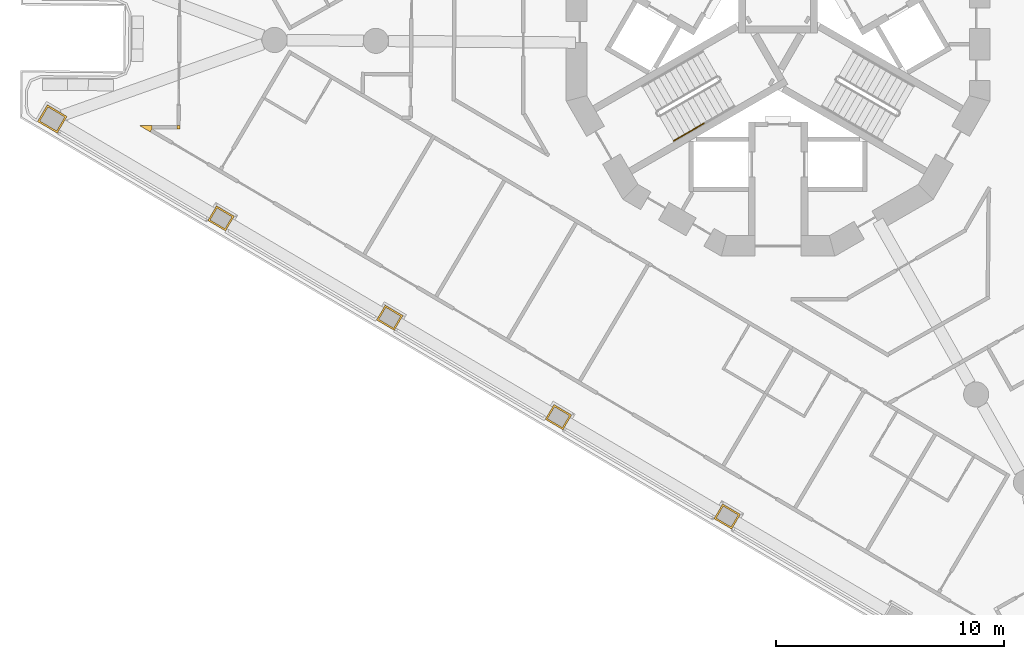
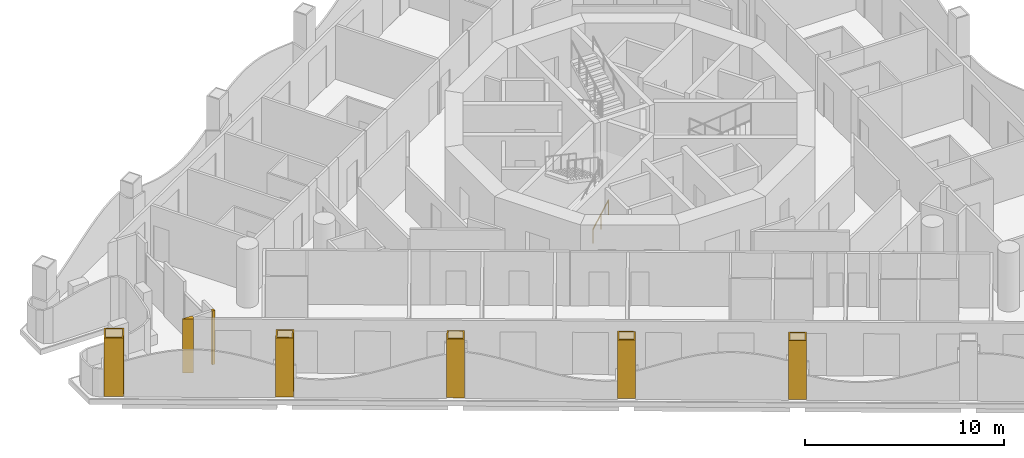
# One storey, part 11 of 17: 7 coverings, 1 railing.
"""IFC4 building model written with IfcOpenShell, lengths in metres."""

from ifc_helpers import new_model, si_unit, direction, frame, origin, origin_2d, place, context, subcontext, project, spatial, polyline, circle, outline, extrude, material, layer, layer_set, type_object, element, save


model = new_model("IFC4")

# Units and contexts
model_context = context("Model", 3, precision=1e-05, world=origin(), true_north=direction((0.0, 1.0)))
body_context = subcontext(model_context, "Body", "Model", "MODEL_VIEW")
ifc_project = project(units=[si_unit("LENGTHUNIT", "METRE"), si_unit("AREAUNIT", "SQUARE_METRE"), si_unit("VOLUMEUNIT", "CUBIC_METRE"), si_unit("PLANEANGLEUNIT", "RADIAN"), si_unit("MASSUNIT", "GRAM", prefix="KILO")], contexts=[model_context])

# Site, building, storey
site_placement = place(None, origin())
site = spatial("IfcSite", under=ifc_project, at=site_placement, CompositionType="ELEMENT")
building_placement = place(site_placement, origin())
building = spatial("IfcBuilding", under=site, at=building_placement, Name="Trine Commons Tower", CompositionType="ELEMENT")
storey_placement = place(building_placement, frame((0.0, 0.0, 182.699951171875)))
storey = spatial("IfcBuildingStorey", under=building, at=storey_placement, Name="L47", CompositionType="ELEMENT", Elevation=182.699951171875)

# Coverings
ifc_material_1 = material(Name="Aluminium-framed insulated wall panel", Category="aluminium")
ifc_layer_1 = layer(ifc_material_1, 0.14990234375)
ifc_layer_set_1 = layer_set([ifc_layer_1], Name="Aluminium-framed insulated wall panel")
covering_type_1 = type_object("IfcCoveringType", Name="Glazing corner post, aluminium", PredefinedType="CLADDING", material=ifc_layer_set_1)
covering_1_placement = place(storey_placement, origin())
element("IfcCovering", 1, at=covering_1_placement, inside=storey, type_object=covering_type_1, Name="Glazing corner post 5-01", PredefinedType="CLADDING", context=body_context, shape_type="SweptSolid", body=[
    extrude(outline(polyline([(52.519775390625, 58.669921875), (52.595947265625, 58.799072265625), (52.59716796875, 58.948974609375), (52.037353515625, 58.953857421875), (52.519775390625, 58.669921875)])), origin(), (0.0, 0.0, 1.0), 3.300048828125),
])
covering_2_placement = place(storey_placement, origin())
element("IfcCovering", 2, at=covering_2_placement, inside=storey, type_object=covering_type_1, Name="Glazing corner post 5-02", PredefinedType="CLADDING", context=body_context, shape_type="SweptSolid", body=[
    extrude(outline(polyline([(53.681640625, 58.78955078125), (53.83154296875, 58.7880859375), (53.8330078125, 58.938232421875), (53.682861328125, 58.939453125), (53.681640625, 58.78955078125)])), origin(), (0.0, 0.0, 1.0), 3.300048828125),
])
ifc_material_2 = material(Name="Limestone, honed", Category="masonry")
ifc_layer_2 = layer(ifc_material_2, 0.074951171875)
ifc_layer_set_2 = layer_set([ifc_layer_2], Name="Limestone, honed")
covering_type_2 = type_object("IfcCoveringType", Name="Limestone column cladding 75", PredefinedType="CLADDING", material=ifc_layer_set_2)
covering_3_placement = place(storey_placement, origin())
element("IfcCovering", 3, at=covering_3_placement, inside=storey, type_object=covering_type_2, Name="Limestone pier cladding 5-03", PredefinedType="CLADDING", context=body_context, shape_type="SweptSolid", body=[
    extrude(outline(polyline([(77.57568359375, 42.384521484375), (77.195068359375, 41.73828125), (77.970703125, 41.281494140625), (78.351318359375, 41.927734375), (77.57568359375, 42.384521484375)]), holes=[polyline([(77.602294921875, 42.28173828125), (77.2978515625, 41.764892578125), (77.944091796875, 41.38427734375), (78.24853515625, 41.901123046875), (77.602294921875, 42.28173828125)])]), origin(), (0.0, 0.0, 1.0), 3.60009765625),
])
covering_4_placement = place(storey_placement, origin())
element("IfcCovering", 4, at=covering_4_placement, inside=storey, type_object=covering_type_2, Name="Limestone pier cladding 5-04", PredefinedType="CLADDING", context=body_context, shape_type="SweptSolid", body=[
    extrude(outline(polyline([(70.191162109375, 46.734375), (69.810302734375, 46.088134765625), (70.5859375, 45.63134765625), (70.966552734375, 46.277587890625), (70.191162109375, 46.734375)]), holes=[polyline([(70.2177734375, 46.631591796875), (69.9130859375, 46.11474609375), (70.559326171875, 45.734130859375), (70.864013671875, 46.251220703125), (70.2177734375, 46.631591796875)])]), origin(), (0.0, 0.0, 1.0), 3.60009765625),
])
covering_5_placement = place(storey_placement, origin())
element("IfcCovering", 5, at=covering_5_placement, inside=storey, type_object=covering_type_2, Name="Limestone pier cladding 5-05", PredefinedType="CLADDING", context=body_context, shape_type="SweptSolid", body=[
    extrude(outline(polyline([(62.806396484375, 51.084228515625), (62.42578125, 50.43798828125), (63.201171875, 49.981201171875), (63.581787109375, 50.62744140625), (62.806396484375, 51.084228515625)]), holes=[polyline([(62.8330078125, 50.981689453125), (62.5283203125, 50.464599609375), (63.174560546875, 50.083984375), (63.479248046875, 50.60107421875), (62.8330078125, 50.981689453125)])]), origin(), (0.0, 0.0, 1.0), 3.60009765625),
])
covering_6_placement = place(storey_placement, origin())
element("IfcCovering", 6, at=covering_6_placement, inside=storey, type_object=covering_type_2, Name="Limestone pier cladding 5-06", PredefinedType="CLADDING", context=body_context, shape_type="SweptSolid", body=[
    extrude(outline(polyline([(55.421630859375, 55.43408203125), (55.041015625, 54.7880859375), (55.81640625, 54.331298828125), (56.197265625, 54.977294921875), (55.421630859375, 55.43408203125)]), holes=[polyline([(55.4482421875, 55.33154296875), (55.143798828125, 54.814453125), (55.789794921875, 54.433837890625), (56.094482421875, 54.950927734375), (55.4482421875, 55.33154296875)])]), origin(), (0.0, 0.0, 1.0), 3.60009765625),
])
covering_7_placement = place(storey_placement, origin())
element("IfcCovering", 7, at=covering_7_placement, inside=storey, type_object=covering_type_2, Name="Limestone pier cladding 5-07", PredefinedType="CLADDING", context=body_context, shape_type="SweptSolid", body=[
    extrude(outline(polyline([(48.019287109375, 59.8525390625), (47.587890625, 59.1201171875), (48.449462890625, 58.612548828125), (48.880859375, 59.344970703125), (48.019287109375, 59.8525390625)]), holes=[polyline([(48.0458984375, 59.75), (47.690673828125, 59.146728515625), (48.423095703125, 58.71533203125), (48.7783203125, 59.318603515625), (48.0458984375, 59.75)])]), origin(), (0.0, 0.0, 1.0), 3.60009765625),
])

# Railing
ifc_material_3 = material(Name="Stainless steel handrail", Category="steel")
railing_type = type_object("IfcRailingType", Name="Stair handrail, steel 900", PredefinedType="HANDRAIL", material=ifc_material_3)
railing_placement = place(storey_placement, frame((75.43017578125, 58.27392578125, 0.150146484375)))
element("IfcRailing", 8, at=railing_placement, inside=storey, type_object=railing_type, Name="L47 ST2B stair handrail 1", PredefinedType="HANDRAIL", context=body_context, shape_type="SweptSolid", body=[
    extrude(circle(Radius=0.02099609375, at=origin_2d()), frame((0.0, 0.0, 0.87890625), z_axis=(0.76340495495, 0.440743040072, 0.472184759798), x_axis=(-0.499992328818, 0.866029832698, 0.0)), (0.0, 0.0, 1.0), 1.7470703125),
    extrude(circle(Radius=0.01513671875, at=origin_2d()), origin(), (0.0, 0.0, 1.0), 0.85791015625),
    extrude(circle(Radius=0.01513671875, at=origin_2d()), frame((0.6669921875, 0.385009765625, 0.41259765625)), (0.0, 0.0, 1.0), 0.85791015625),
    extrude(circle(Radius=0.01513671875, at=origin_2d()), frame((1.333740234375, 0.77001953125, 0.824951171875)), (0.0, 0.0, 1.0), 0.85791015625),
])

save(model, "model.ifc")
